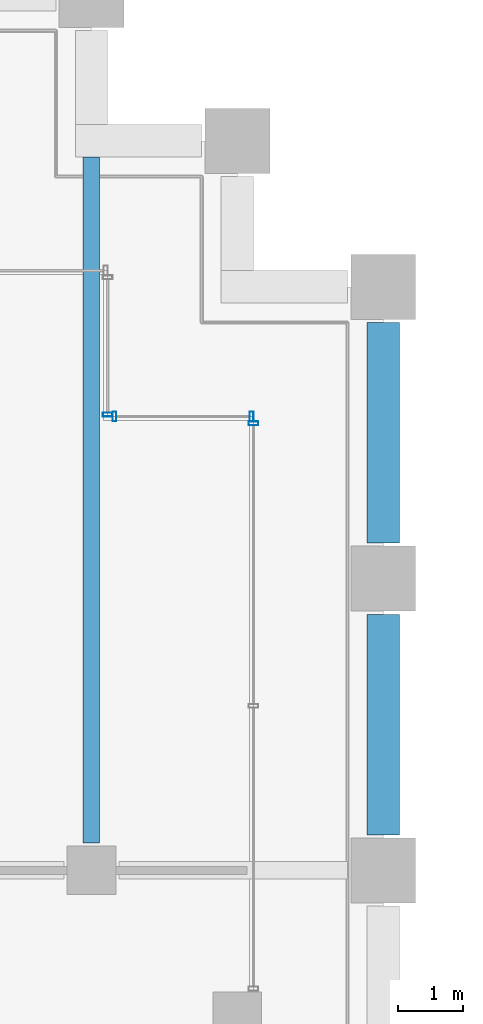
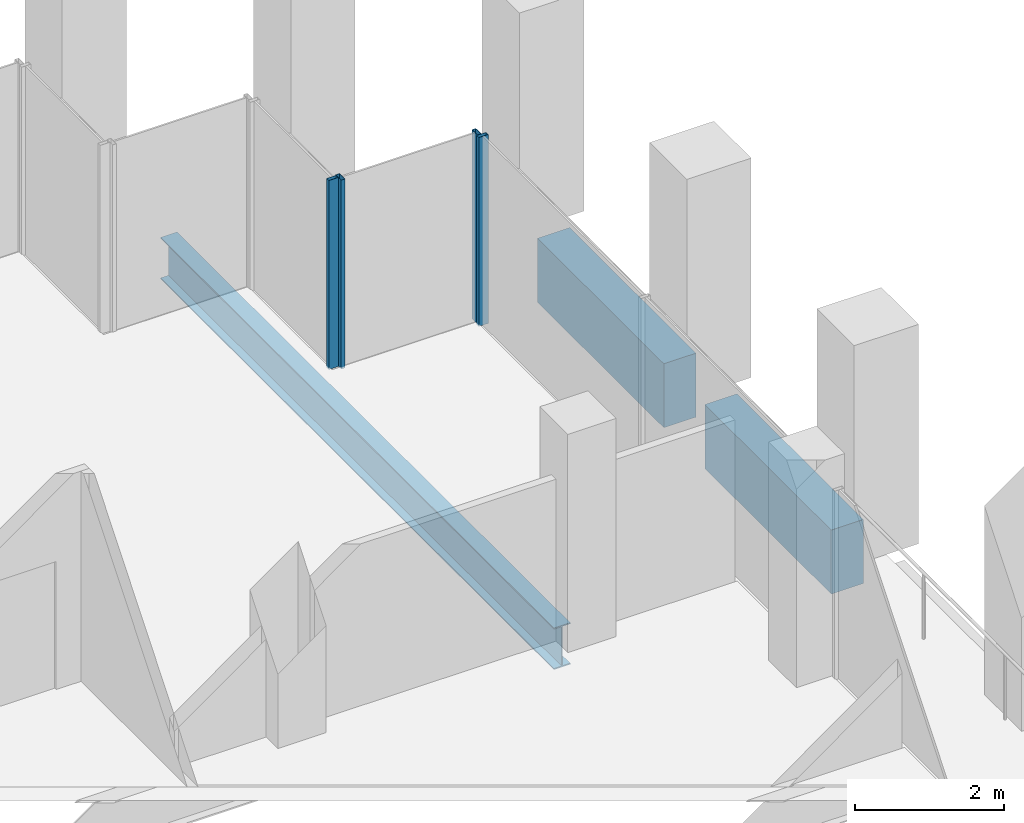
# One storey, part 27 of 52: 4 members, 3 beams, 3 elements without a shape of their own.
"""IFC4 building model written with IfcOpenShell, lengths in metres."""

from ifc_helpers import new_model, si_unit, direction, frame, origin, origin_2d, place, context, subcontext, project, spatial, rectangle, hollow_rectangle, i_section, extrude, material, material_profile, profile_set, type_object, element, aggregate, save


model = new_model("IFC4")

# Units and contexts
model_context = context("Model", 3, precision=1e-05, world=origin(), true_north=direction((0.0, 1.0)))
body_context = subcontext(model_context, "Body", "Model", "MODEL_VIEW")
ifc_project = project(units=[si_unit("LENGTHUNIT", "METRE"), si_unit("AREAUNIT", "SQUARE_METRE"), si_unit("VOLUMEUNIT", "CUBIC_METRE"), si_unit("PLANEANGLEUNIT", "RADIAN"), si_unit("MASSUNIT", "GRAM", prefix="KILO")], contexts=[model_context])

# Site, building, storey
site_placement = place(None, origin())
site = spatial("IfcSite", under=ifc_project, at=site_placement, CompositionType="ELEMENT")
building_placement = place(site_placement, origin())
building = spatial("IfcBuilding", under=site, at=building_placement, Name="Altepetl Exchange Towers", CompositionType="ELEMENT")
storey_placement = place(building_placement, frame((0.0, 0.0, 92.0)))
storey = spatial("IfcBuildingStorey", under=building, at=storey_placement, Name="L22", CompositionType="ELEMENT", Elevation=92.0)

# Beam
ifc_material_1 = material(Name="Steel S355", Category="steel")
ifc_material_profile_1 = material_profile(ifc_material_1, i_section(OverallWidth=0.25390625, OverallDepth=0.68408203125, WebThickness=0.012451171875, FlangeThickness=0.018798828125, at=origin_2d()), Name="W27X94")
ifc_profile_set_1 = profile_set([ifc_material_profile_1], Name="Steel S355")
beam_type_1 = type_object("IfcBeamType", Name="Floor beam W27X94", PredefinedType="BEAM", material=ifc_profile_set_1)
beam_placement = place(storey_placement, frame((67.5, 58.925048828125, -0.491943359375), z_axis=(0.0, 1.0, 0.0), x_axis=(-1.0, 0.0, 0.0)))
element("IfcBeam", 1, at=beam_placement, inside=storey, type_object=beam_type_1, Name="bm:A:L22:005", PredefinedType="BEAM", context=body_context, shape_type="SweptSolid", body=[
    extrude(i_section(OverallWidth=0.25390625, OverallDepth=0.68408203125, WebThickness=0.012451171875, FlangeThickness=0.018798828125, at=origin_2d()), origin(), (0.0, 0.0, 1.0), 10.574951171875),
])

# Curtain wall, member
ifc_material_2 = material(Name="Aluminium 6063-T6 glazing", Category="aluminium")
curtain_wall_type = type_object("IfcCurtainWallType", Name="Loggia glazing system", PredefinedType="NOTDEFINED", material=ifc_material_2)
curtain_wall_1_placement = place(storey_placement, origin())
curtain_wall_1 = element("IfcCurtainWall", 2, at=curtain_wall_1_placement, inside=storey, type_object=curtain_wall_type, Name="CW1 run", PredefinedType="NOTDEFINED")
ifc_material_3 = material(Name="Aluminium 6063-T6", Category="aluminium")
ifc_material_profile_2 = material_profile(ifc_material_3, hollow_rectangle(XDim=0.06005859375, YDim=0.14990234375, WallThickness=0.0029296875, at=origin_2d()), Name="Mullion 60x150 aluminium")
ifc_profile_set_2 = profile_set([ifc_material_profile_2], Name="Aluminium 6063-T6")
member_type = type_object("IfcMemberType", Name="Mullion 60x150 aluminium", PredefinedType="MULLION", material=ifc_profile_set_2)
member_1_placement = place(storey_placement, frame((70.0, 65.39501953125, 0.0), z_axis=(0.0, 0.0, 1.0), x_axis=(0.0, 1.0, 0.0)))
member_1 = element("IfcMember", 3, at=member_1_placement, type_object=member_type, Name="MU1 mullion", PredefinedType="MULLION", context=body_context, shape_type="SweptSolid", body=[
    extrude(hollow_rectangle(XDim=0.06005859375, YDim=0.14990234375, WallThickness=0.0029296875, at=origin_2d()), origin(), (0.0, 0.0, 1.0), 3.10009765625),
])
aggregate(curtain_wall_1, [member_1])

# Curtain wall, members
curtain_wall_2_placement = place(storey_placement, origin())
curtain_wall_2 = element("IfcCurtainWall", 4, at=curtain_wall_2_placement, inside=storey, type_object=curtain_wall_type, Name="CW1 run", PredefinedType="NOTDEFINED")
member_2_placement = place(storey_placement, frame((69.969970703125, 65.5, 0.0), z_axis=(0.0, 0.0, 1.0), x_axis=(-1.0, 0.0, 0.0)))
member_2 = element("IfcMember", 5, at=member_2_placement, type_object=member_type, Name="MU1 mullion", PredefinedType="MULLION", context=body_context, shape_type="SweptSolid", body=[
    extrude(hollow_rectangle(XDim=0.06005859375, YDim=0.14990234375, WallThickness=0.0029296875, at=origin_2d()), origin(), (0.0, 0.0, 1.0), 3.10009765625),
])
member_3_placement = place(storey_placement, frame((67.85498046875, 65.5, 0.0), z_axis=(0.0, 0.0, 1.0), x_axis=(-1.0, 0.0, 0.0)))
member_3 = element("IfcMember", 6, at=member_3_placement, type_object=member_type, Name="MU1 mullion", PredefinedType="MULLION", context=body_context, shape_type="SweptSolid", body=[
    extrude(hollow_rectangle(XDim=0.06005859375, YDim=0.14990234375, WallThickness=0.0029296875, at=origin_2d()), origin(), (0.0, 0.0, 1.0), 3.10009765625),
])
aggregate(curtain_wall_2, [member_2, member_3])

# Curtain wall, member
curtain_wall_3_placement = place(storey_placement, origin())
curtain_wall_3 = element("IfcCurtainWall", 7, at=curtain_wall_3_placement, inside=storey, type_object=curtain_wall_type, Name="CW1 run", PredefinedType="NOTDEFINED")
member_4_placement = place(storey_placement, frame((67.75, 65.530029296875, 0.0), z_axis=(0.0, 0.0, 1.0), x_axis=(0.0, 1.0, 0.0)))
member_4 = element("IfcMember", 8, at=member_4_placement, type_object=member_type, Name="MU1 mullion", PredefinedType="MULLION", context=body_context, shape_type="SweptSolid", body=[
    extrude(hollow_rectangle(XDim=0.06005859375, YDim=0.14990234375, WallThickness=0.0029296875, at=origin_2d()), origin(), (0.0, 0.0, 1.0), 3.10009765625),
])
aggregate(curtain_wall_3, [member_4])

# Beams
ifc_material_4 = material(Name="Concrete C50/60 precast with cantera rosa facing", Category="concrete")
ifc_material_profile_3 = material_profile(ifc_material_4, rectangle(XDim=0.5, YDim=1.050048828125, at=origin_2d()), Name="500 x 1050")
ifc_profile_set_3 = profile_set([ifc_material_profile_3], Name="Concrete C50/60 precast with cantera rosa facing")
beam_type_2 = type_object("IfcBeamType", Name="Spandrel beam 500x1050 cantera rosa", PredefinedType="SPANDREL", material=ifc_profile_set_3)
for number, where, z_axis, x_axis, name in (
    (9, (72.0, 59.050048828125, -0.675048828125), (0.0, 1.0, 0.0), (-1.0, 0.0, 0.0), "sp:A:L22:018"),
    (10, (72.0, 63.550048828125, -0.675048828125), (0.0, 1.0, 0.0), (-1.0, 0.0, 0.0), "sp:A:L22:019"),
):
    element("IfcBeam", number, at=place(storey_placement, frame(where, z_axis=z_axis, x_axis=x_axis)), inside=storey, type_object=beam_type_2, Name=name, PredefinedType="SPANDREL", context=body_context, shape_type="SweptSolid", body=[
        extrude(rectangle(XDim=0.5, YDim=1.050048828125, at=origin_2d()), origin(), (0.0, 0.0, 1.0), 3.39990234375),
    ])

save(model, "model.ifc")
